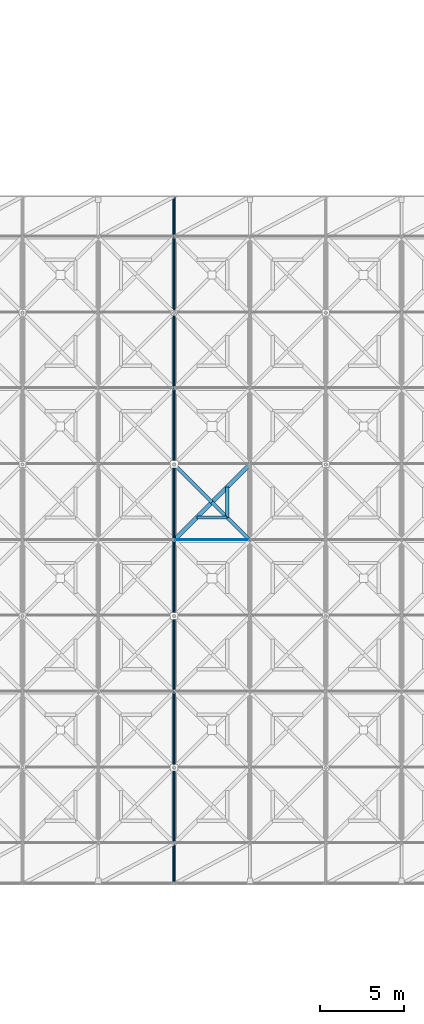
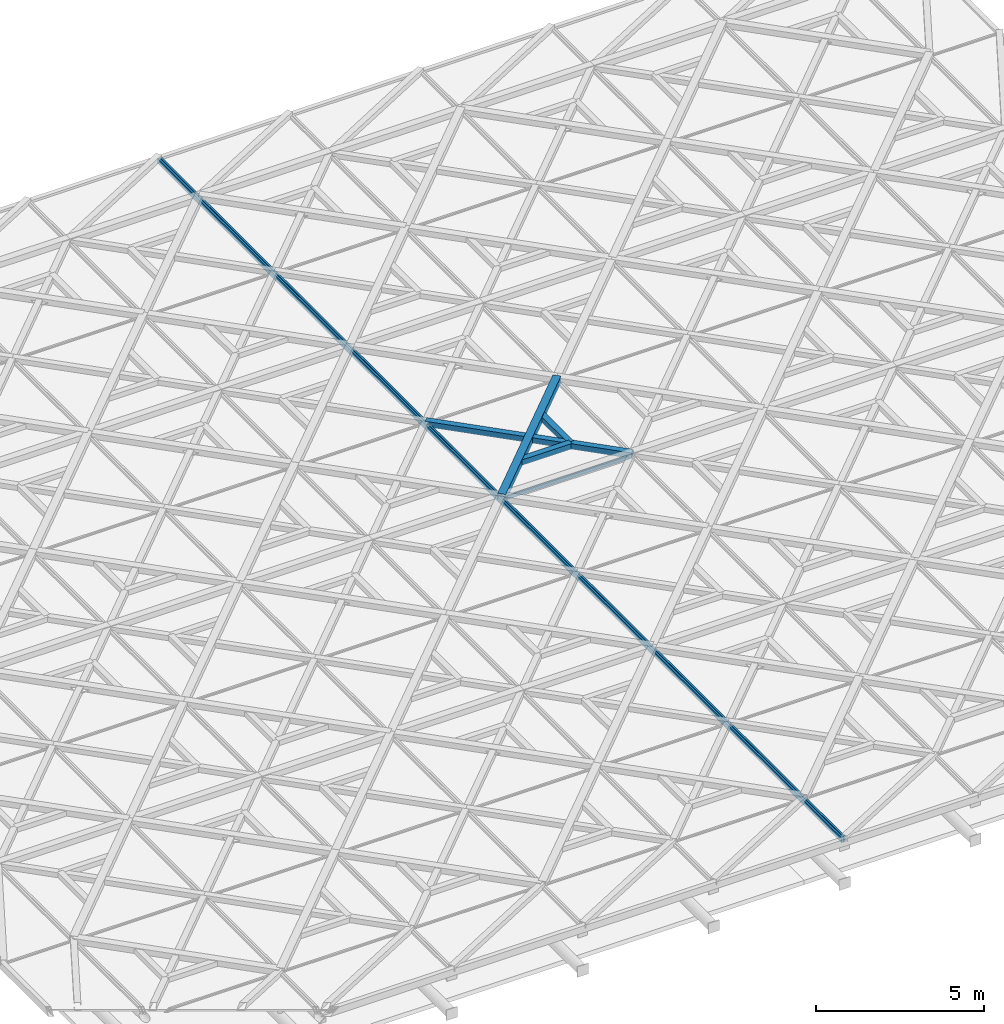
# One storey, part 34 of 80: 8 members, 2 elements without a shape of their own.
"""IFC4 building model written with IfcOpenShell, lengths in metres."""

from ifc_helpers import new_model, si_unit, direction, frame, origin, origin_2d, place, context, subcontext, project, spatial, rectangle, hollow_rectangle, extrude, material, material_profile, profile_set, type_object, element, aggregate, save


model = new_model("IFC4")

# Units and contexts
model_context = context("Model", 3, precision=1e-05, world=origin(), true_north=direction((0.0, 1.0)))
body_context = subcontext(model_context, "Body", "Model", "MODEL_VIEW")
ifc_project = project(units=[si_unit("LENGTHUNIT", "METRE"), si_unit("AREAUNIT", "SQUARE_METRE"), si_unit("VOLUMEUNIT", "CUBIC_METRE"), si_unit("PLANEANGLEUNIT", "RADIAN"), si_unit("MASSUNIT", "GRAM", prefix="KILO"), si_unit("THERMODYNAMICTEMPERATUREUNIT", "KELVIN"), si_unit("POWERUNIT", "WATT")], contexts=[model_context])

# Site, building, storey
site_placement = place(None, origin())
site = spatial("IfcSite", under=ifc_project, at=site_placement, CompositionType="ELEMENT")
building_placement = place(site_placement, origin())
building = spatial("IfcBuilding", under=site, at=building_placement, Name="Tallowbark Science Centre", CompositionType="ELEMENT")
storey_placement = place(building_placement, frame((0.0, 0.0, 25.949951171875)))
storey = spatial("IfcBuildingStorey", under=building, at=storey_placement, Name="ROOF", CompositionType="ELEMENT", Elevation=25.949951171875)

# Curtain wall, member
ifc_material_1 = material(Name="Blue-Tinted Laminated Low-E Skylight Glass", Category="glass")
curtain_wall_type = type_object("IfcCurtainWallType", Name="CW-SKY-ROOF", PredefinedType="NOTDEFINED", material=ifc_material_1)
curtain_wall_1_placement = place(storey_placement, origin())
curtain_wall_1 = element("IfcCurtainWall", 1, at=curtain_wall_1_placement, inside=storey, type_object=curtain_wall_type, Name="Exhibition Star-Screen Skylight Bay 6", PredefinedType="NOTDEFINED")
ifc_material_2 = material(Name="Anodised Architectural Aluminium Alloy 6063-T6", Category="aluminium")
ifc_material_profile_1 = material_profile(ifc_material_2, rectangle(XDim=0.06494140625, YDim=0.179931640625, at=origin_2d()), Name="ALU65x180")
ifc_profile_set_1 = profile_set([ifc_material_profile_1], Name="Anodised Architectural Aluminium Alloy 6063-T6")
member_type_1 = type_object("IfcMemberType", Name="CWM-SKY-MUL", PredefinedType="MULLION", material=ifc_profile_set_1)
member_1_placement = place(storey_placement, frame((80.9599609375, 2.14990234375, 0.35205078125), z_axis=(0.0, 1.0, 0.0), x_axis=(-1.0, 0.0, 0.0)))
member_1 = element("IfcMember", 2, at=member_1_placement, type_object=member_type_1, Name="Skylight Bay 6 Mullion E", PredefinedType="MULLION", context=body_context, shape_type="SweptSolid", body=[
    extrude(rectangle(XDim=0.06494140625, YDim=0.179931640625, at=origin_2d()), origin(), (0.0, 0.0, 1.0), 40.7001953125),
])
aggregate(curtain_wall_1, [member_1])

# Curtain wall, members
curtain_wall_2_placement = place(storey_placement, origin())
curtain_wall_2 = element("IfcCurtainWall", 3, at=curtain_wall_2_placement, inside=storey, type_object=curtain_wall_type, Name="Exhibition Star-Screen Skylight Bay 7", PredefinedType="NOTDEFINED")
member_2_placement = place(storey_placement, frame((81.0400390625, 2.14990234375, 0.35205078125), z_axis=(0.0, 1.0, 0.0), x_axis=(-1.0, 0.0, 0.0)))
member_2 = element("IfcMember", 4, at=member_2_placement, type_object=member_type_1, Name="Skylight Bay 7 Mullion W", PredefinedType="MULLION", context=body_context, shape_type="SweptSolid", body=[
    extrude(rectangle(XDim=0.06494140625, YDim=0.179931640625, at=origin_2d()), origin(), (0.0, 0.0, 1.0), 40.7001953125),
])
ifc_material_profile_2 = material_profile(ifc_material_2, rectangle(XDim=0.054931640625, YDim=0.1201171875, at=origin_2d()), Name="ALU55x120")
ifc_profile_set_2 = profile_set([ifc_material_profile_2], Name="Anodised Architectural Aluminium Alloy 6063-T6")
member_type_2 = type_object("IfcMemberType", Name="CWM-SKY-TRN", PredefinedType="USERDEFINED", material=ifc_profile_set_2)
member_3_placement = place(storey_placement, frame((81.080078125, 22.5400390625, 0.35205078125), z_axis=(1.0, 0.0, 0.0), x_axis=(0.0, 1.0, 0.0)))
member_3 = element("IfcMember", 5, at=member_3_placement, type_object=member_type_2, Name="Skylight Bay 7 Transom 6", ObjectType="TRANSOM", PredefinedType="USERDEFINED", context=body_context, shape_type="SweptSolid", body=[
    extrude(rectangle(XDim=0.054931640625, YDim=0.1201171875, at=origin_2d()), origin(), (0.0, 0.0, 1.0), 4.33984375),
])
aggregate(curtain_wall_2, [member_2, member_3])

# Members
ifc_material_3 = material(Name="White Architectural Painted Steel Grade C350L0 (350 MPa)", Category="steel")
ifc_material_profile_3 = material_profile(ifc_material_3, hollow_rectangle(XDim=0.25, YDim=0.25, WallThickness=0.009033203125, at=origin_2d()), Name="250x250x9.0SHS")
ifc_profile_set_3 = profile_set([ifc_material_profile_3], Name="White Architectural Painted Steel Grade C350L0 (350 MPa)")
member_type_3 = type_object("IfcMemberType", Name="SCR-CHD200", PredefinedType="CHORD", material=ifc_profile_set_3)
member_4_placement = place(storey_placement, frame((81.0, 22.5, 0.449951171875), z_axis=(0.707106781187, 0.707106781187, 0.0), x_axis=(-0.707106781187, 0.707106781187, 0.0)))
element("IfcMember", 6, at=member_4_placement, inside=storey, type_object=member_type_3, Name="Star Screen Octagram Diamond Chord TOP-64-1", PredefinedType="CHORD", context=body_context, shape_type="SweptSolid", body=[
    extrude(hollow_rectangle(XDim=0.25, YDim=0.25, WallThickness=0.009033203125, at=origin_2d()), origin(), (0.0, 0.0, 1.0), 6.364013671875),
])
ifc_material_profile_4 = material_profile(ifc_material_3, hollow_rectangle(XDim=0.199951171875, YDim=0.199951171875, WallThickness=0.009033203125, at=origin_2d()), Name="200x200x9.0SHS")
ifc_profile_set_4 = profile_set([ifc_material_profile_4], Name="White Architectural Painted Steel Grade C350L0 (350 MPa)")
member_type_4 = type_object("IfcMemberType", Name="SCR-STAR139", PredefinedType="BRACE", material=ifc_profile_set_4)
for number, where, z_axis, x_axis, name in (
    (7, (81.0, 27.0, 0.449951171875), (0.707106781187, -0.707106781187, 0.0), (0.707106781187, 0.707106781187, 0.0), "Star Screen Split X-Diagonal D2C TOP-64"),
    (8, (83.25, 24.75, 0.449951171875), (0.707106781187, -0.707106781187, 0.0), (0.707106781187, 0.707106781187, 0.0), "Star Screen Split X-Diagonal D2D TOP-64"),
):
    element("IfcMember", number, at=place(storey_placement, frame(where, z_axis=z_axis, x_axis=x_axis)), inside=storey, type_object=member_type_4, Name=name, PredefinedType="BRACE", context=body_context, shape_type="SweptSolid", body=[
        extrude(hollow_rectangle(XDim=0.199951171875, YDim=0.199951171875, WallThickness=0.009033203125, at=origin_2d()), origin(), (0.0, 0.0, 1.0), 3.181884765625),
    ])
ifc_material_profile_5 = material_profile(ifc_material_3, hollow_rectangle(XDim=0.199951171875, YDim=0.199951171875, WallThickness=0.009033203125, at=origin_2d()), Name="200x200x9.0SHS")
ifc_profile_set_5 = profile_set([ifc_material_profile_5], Name="White Architectural Painted Steel Grade C350L0 (350 MPa)")
member_type_5 = type_object("IfcMemberType", Name="SCR-SUB150", PredefinedType="BRACE", material=ifc_profile_set_5)
for number, where, z_axis, x_axis, name in (
    (9, (84.14990234375, 23.85009765625, 0.449951171875), (-1.0, 0.0, 0.0), (0.0, -1.0, 0.0), "Star Screen Octagram Point Ray TOP-64-3"),
    (10, (84.14990234375, 23.85009765625, 0.449951171875), (0.0, 1.0, 0.0), (-1.0, 0.0, 0.0), "Star Screen Octagram Point Ray TOP-64-4"),
):
    element("IfcMember", number, at=place(storey_placement, frame(where, z_axis=z_axis, x_axis=x_axis)), inside=storey, type_object=member_type_5, Name=name, PredefinedType="BRACE", context=body_context, shape_type="SweptSolid", body=[
        extrude(hollow_rectangle(XDim=0.199951171875, YDim=0.199951171875, WallThickness=0.009033203125, at=origin_2d()), origin(), (0.0, 0.0, 1.0), 1.7998046875),
    ])

save(model, "model.ifc")
